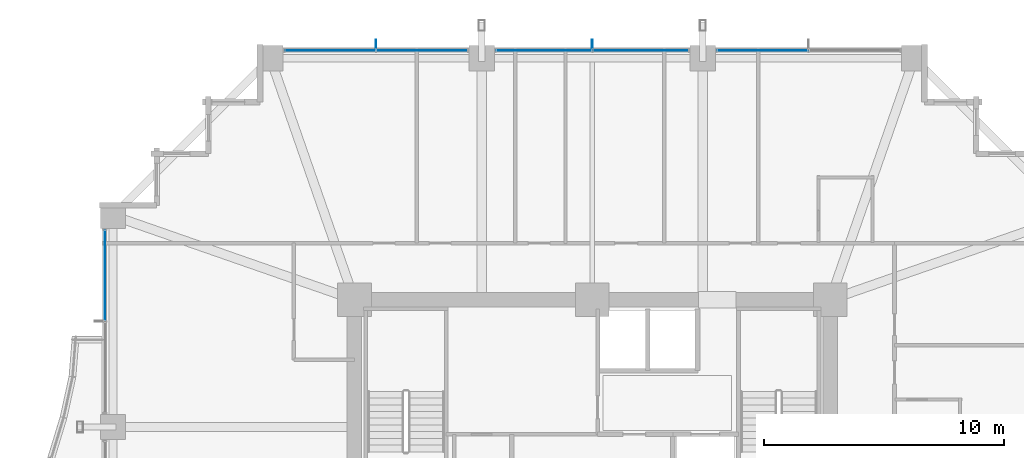
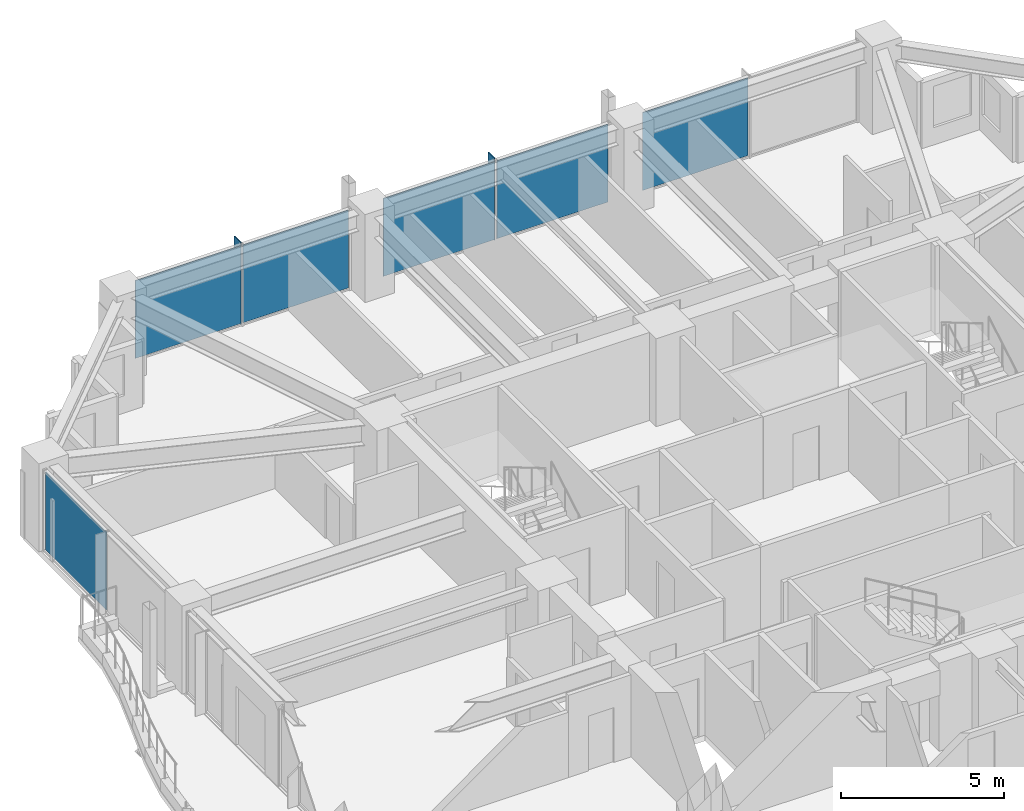
# One storey, part 29 of 37: 8 plates, 4 elements without a shape of their own.
"""IFC4 building model written with IfcOpenShell, lengths in metres."""

from ifc_helpers import new_model, si_unit, direction, frame, origin, origin_2d, place, context, subcontext, project, spatial, rectangle, extrude, material, layer, layer_set, type_object, element, aggregate, save


model = new_model("IFC4")

# Units and contexts
model_context = context("Model", 3, precision=1e-05, world=origin(), true_north=direction((0.0, 1.0)))
body_context = subcontext(model_context, "Body", "Model", "MODEL_VIEW")
ifc_project = project(units=[si_unit("LENGTHUNIT", "METRE"), si_unit("AREAUNIT", "SQUARE_METRE"), si_unit("VOLUMEUNIT", "CUBIC_METRE"), si_unit("PLANEANGLEUNIT", "RADIAN"), si_unit("MASSUNIT", "GRAM", prefix="KILO")], contexts=[model_context])

# Site, building, storey
site_placement = place(None, origin())
site = spatial("IfcSite", under=ifc_project, at=site_placement, CompositionType="ELEMENT")
building_placement = place(site_placement, origin())
building = spatial("IfcBuilding", under=site, at=building_placement, Name="Kolvaren Belvedere", CompositionType="ELEMENT")
storey_placement = place(building_placement, frame((0.0, 0.0, 75.5)))
storey = spatial("IfcBuildingStorey", under=building, at=storey_placement, Name="L21", CompositionType="ELEMENT", Elevation=75.5)

# Curtain wall, plates
ifc_material_1 = material(Name="Anodised pale-metal aluminium AA 6063-T6", Category="aluminium")
curtain_wall_type = type_object("IfcCurtainWallType", Name="CW-Z2-MID", PredefinedType="NOTDEFINED", material=ifc_material_1)
curtain_wall_1_placement = place(storey_placement, origin())
curtain_wall_1 = element("IfcCurtainWall", 1, at=curtain_wall_1_placement, inside=storey, type_object=curtain_wall_type, Name="L21 Unitised Curtain Wall FCW-L21-N-B1", PredefinedType="NOTDEFINED")
ifc_material_2 = material(Name="Low-iron triple insulated glass", Category="glass")
ifc_layer_1 = layer(ifc_material_2, 0.028076171875)
ifc_layer_set_1 = layer_set([ifc_layer_1], Name="Low-iron triple insulated glass")
plate_type_1 = type_object("IfcPlateType", Name="CW-PNL-VIS28", PredefinedType="CURTAIN_PANEL", material=ifc_layer_set_1)
plate_1_placement = place(storey_placement, frame((-10.9111328125, 20.280029296875, 0.080078125), z_axis=(0.0, 0.0, 1.0), x_axis=(1.0, 0.0, 0.0)))
plate_1 = element("IfcPlate", 2, at=plate_1_placement, type_object=plate_type_1, Name="FCW-L21-N-B1 Vision Glazing Panel 1", PredefinedType="CURTAIN_PANEL", context=body_context, shape_type="SweptSolid", body=[
    extrude(rectangle(XDim=3.742431640625, YDim=0.028076171875, at=origin_2d()), origin(), (0.0, 0.0, 1.0), 2.919921875),
])
plate_2_placement = place(storey_placement, frame((-7.0888671875, 20.280029296875, 0.080078125), z_axis=(0.0, 0.0, 1.0), x_axis=(1.0, 0.0, 0.0)))
plate_2 = element("IfcPlate", 3, at=plate_2_placement, type_object=plate_type_1, Name="FCW-L21-N-B1 Vision Glazing Panel 2", PredefinedType="CURTAIN_PANEL", context=body_context, shape_type="SweptSolid", body=[
    extrude(rectangle(XDim=3.742431640625, YDim=0.028076171875, at=origin_2d()), origin(), (0.0, 0.0, 1.0), 2.919921875),
])
aggregate(curtain_wall_1, [plate_1, plate_2])

curtain_wall_2_placement = place(storey_placement, origin())
curtain_wall_2 = element("IfcCurtainWall", 4, at=curtain_wall_2_placement, inside=storey, type_object=curtain_wall_type, Name="L21 Unitised Curtain Wall FCW-L21-N-B2", PredefinedType="NOTDEFINED")
plate_3_placement = place(storey_placement, frame((-2.01123046875, 20.280029296875, 0.080078125), z_axis=(0.0, 0.0, 1.0), x_axis=(1.0, 0.0, 0.0)))
plate_3 = element("IfcPlate", 5, at=plate_3_placement, type_object=plate_type_1, Name="FCW-L21-N-B2 Vision Glazing Panel 1", PredefinedType="CURTAIN_PANEL", context=body_context, shape_type="SweptSolid", body=[
    extrude(rectangle(XDim=3.9423828125, YDim=0.028076171875, at=origin_2d()), origin(), (0.0, 0.0, 1.0), 2.919921875),
])
plate_4_placement = place(storey_placement, frame((2.01123046875, 20.280029296875, 0.080078125), z_axis=(0.0, 0.0, 1.0), x_axis=(1.0, 0.0, 0.0)))
plate_4 = element("IfcPlate", 6, at=plate_4_placement, type_object=plate_type_1, Name="FCW-L21-N-B2 Vision Glazing Panel 2", PredefinedType="CURTAIN_PANEL", context=body_context, shape_type="SweptSolid", body=[
    extrude(rectangle(XDim=3.9423828125, YDim=0.028076171875, at=origin_2d()), origin(), (0.0, 0.0, 1.0), 2.919921875),
])
aggregate(curtain_wall_2, [plate_3, plate_4])

# Curtain wall, plate
curtain_wall_3_placement = place(storey_placement, origin())
curtain_wall_3 = element("IfcCurtainWall", 7, at=curtain_wall_3_placement, inside=storey, type_object=curtain_wall_type, Name="L21 Unitised Curtain Wall FCW-L21-N-B3", PredefinedType="NOTDEFINED")
plate_5_placement = place(storey_placement, frame((7.0888671875, 20.280029296875, 0.080078125), z_axis=(0.0, 0.0, 1.0), x_axis=(1.0, 0.0, 0.0)))
plate_5 = element("IfcPlate", 8, at=plate_5_placement, type_object=plate_type_1, Name="FCW-L21-N-B3 Vision Glazing Panel 1", PredefinedType="CURTAIN_PANEL", context=body_context, shape_type="SweptSolid", body=[
    extrude(rectangle(XDim=3.742431640625, YDim=0.028076171875, at=origin_2d()), origin(), (0.0, 0.0, 1.0), 2.919921875),
])
aggregate(curtain_wall_3, [plate_5])

curtain_wall_4_placement = place(storey_placement, origin())
curtain_wall_4 = element("IfcCurtainWall", 9, at=curtain_wall_4_placement, inside=storey, type_object=curtain_wall_type, Name="L21 Unitised Curtain Wall FCW-L21-W2-B2", PredefinedType="NOTDEFINED")
plate_6_placement = place(storey_placement, frame((-20.280029296875, 10.9111328125, 0.080078125), z_axis=(0.0, 0.0, 1.0), x_axis=(0.0, 1.0, 0.0)))
plate_6 = element("IfcPlate", 10, at=plate_6_placement, type_object=plate_type_1, Name="FCW-L21-W2-B2 Vision Glazing Panel 2", PredefinedType="CURTAIN_PANEL", context=body_context, shape_type="SweptSolid", body=[
    extrude(rectangle(XDim=3.742431640625, YDim=0.028076171875, at=origin_2d()), origin(), (0.0, 0.0, 1.0), 2.919921875),
])
aggregate(curtain_wall_4, [plate_6])

# Plates
ifc_material_3 = material(Name="Anodised pale-metal aluminium AA 6063-T6", Category="aluminium")
ifc_layer_2 = layer(ifc_material_3, 0.033935546875)
ifc_layer_set_2 = layer_set([ifc_layer_2], Name="Anodised pale-metal aluminium AA 6063-T6")
plate_type_2 = type_object("IfcPlateType", Name="FIN-VERT-380", PredefinedType="USERDEFINED", material=ifc_layer_set_2)
for number, where, z_axis, x_axis, name in (
    (11, (-9.0, 20.52490234375, 0.0), (0.0, 0.0, 1.0), (0.0, 1.0, 0.0), "L21 Pale-Metal Vertical Shading Fin FCW-L21-N-B1-1"),
    (12, (0.0, 20.52490234375, 0.0), (0.0, 0.0, 1.0), (0.0, 1.0, 0.0), "L21 Pale-Metal Vertical Shading Fin FCW-L21-N-B2-1"),
):
    element("IfcPlate", number, at=place(storey_placement, frame(where, z_axis=z_axis, x_axis=x_axis)), inside=storey, type_object=plate_type_2, Name=name, ObjectType="VERTICAL FIN", PredefinedType="USERDEFINED", context=body_context, shape_type="SweptSolid", body=[
        extrude(rectangle(XDim=0.3798828125, YDim=0.033935546875, at=origin_2d()), origin(), (0.0, 0.0, 1.0), 3.080078125),
    ])

save(model, "model.ifc")
